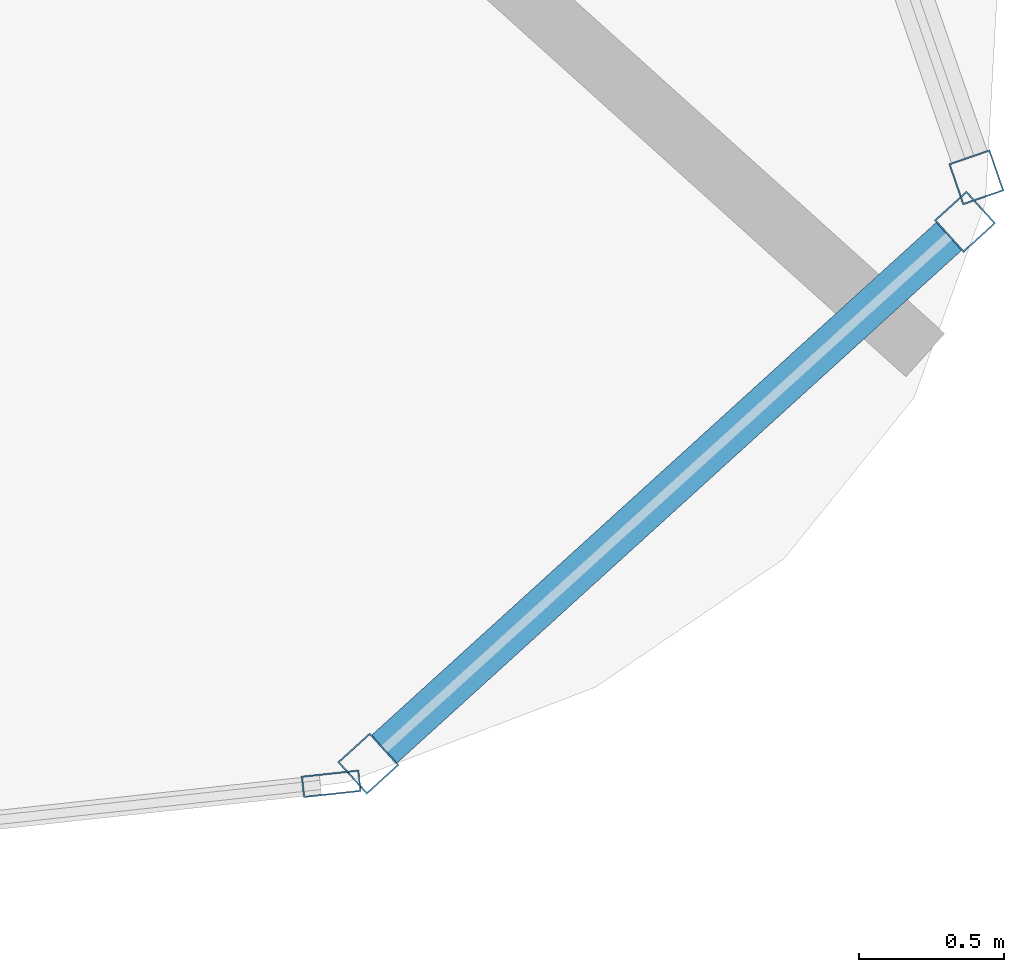
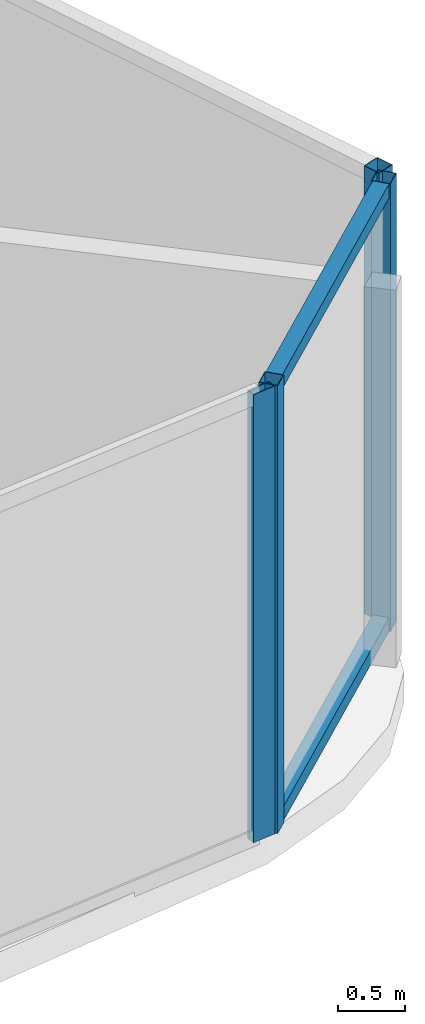
# One storey, part 14 of 33: 6 members, 3 elements without a shape of their own.
"""IFC4 building model written with IfcOpenShell, lengths in metres."""

from ifc_helpers import new_model, si_unit, direction, frame, origin, origin_2d, place, context, subcontext, project, spatial, hollow_rectangle, extrude, material, layer, layer_set, material_profile, profile_set, type_object, element, aggregate, save


model = new_model("IFC4")

# Units and contexts
model_context = context("Model", 3, precision=1e-05, world=origin(), true_north=direction((0.0, 1.0)))
body_context = subcontext(model_context, "Body", "Model", "MODEL_VIEW")
ifc_project = project(units=[si_unit("LENGTHUNIT", "METRE"), si_unit("AREAUNIT", "SQUARE_METRE"), si_unit("VOLUMEUNIT", "CUBIC_METRE"), si_unit("PLANEANGLEUNIT", "RADIAN"), si_unit("MASSUNIT", "GRAM", prefix="KILO")], contexts=[model_context])

# Site, building, storey
site_placement = place(None, origin())
site = spatial("IfcSite", under=ifc_project, at=site_placement, CompositionType="ELEMENT")
building_placement = place(site_placement, origin())
building = spatial("IfcBuilding", under=site, at=building_placement, Name="Orvanel Arch Residences", CompositionType="ELEMENT")
storey_placement = place(building_placement, frame((0.0, 0.0, 59.89990234375)))
storey = spatial("IfcBuildingStorey", under=building, at=storey_placement, Name="L16", CompositionType="ELEMENT", Elevation=59.89990234375)

# Curtain wall, members
ifc_material = material(Name="Bronze-anodised aluminium AA6063-T6", Category="aluminium")
ifc_layer_1 = layer(ifc_material, 0.18994140625)
ifc_layer_set_1 = layer_set([ifc_layer_1], Name="Bronze-anodised aluminium AA6063-T6")
curtain_wall_type_1 = type_object("IfcCurtainWallType", Name="CW5-CRN-SYS", PredefinedType="NOTDEFINED", material=ifc_layer_set_1)
curtain_wall_1_placement = place(storey_placement, origin())
curtain_wall_1 = element("IfcCurtainWall", 1, at=curtain_wall_1_placement, inside=storey, type_object=curtain_wall_type_1, Name="L16 CW5-CRN-SYS Unitised Curtain Wall", PredefinedType="NOTDEFINED")
ifc_material_profile_1 = material_profile(ifc_material, hollow_rectangle(XDim=0.14990234375, YDim=0.14990234375, WallThickness=0.0048828125, at=origin_2d()), Name="ALU150x150x5")
ifc_profile_set_1 = profile_set([ifc_material_profile_1], Name="Bronze-anodised aluminium AA6063-T6")
member_type_1 = type_object("IfcMemberType", Name="MUL-150x150", PredefinedType="MULLION", material=ifc_profile_set_1)
member_1_placement = place(storey_placement, frame((58.987548828125, 3.9794921875, 0.0), z_axis=(0.0, 0.0, 1.0), x_axis=(-0.672281431349, 0.740295668678, 0.0)))
member_1 = element("IfcMember", 2, at=member_1_placement, type_object=member_type_1, Name="CW-S5 mullion 1", PredefinedType="MULLION", context=body_context, shape_type="SweptSolid", body=[
    extrude(hollow_rectangle(XDim=0.14990234375, YDim=0.14990234375, WallThickness=0.0048828125, at=origin_2d()), origin(), (0.0, 0.0, 1.0), 4.110107421875),
])
member_2_placement = place(storey_placement, frame((61.04248046875, 5.845458984375, 0.0), z_axis=(0.0, 0.0, 1.0), x_axis=(-0.672281431349, 0.740295668678, 0.0)))
member_2 = element("IfcMember", 3, at=member_2_placement, type_object=member_type_1, Name="CW-S5 mullion 2", PredefinedType="MULLION", context=body_context, shape_type="SweptSolid", body=[
    extrude(hollow_rectangle(XDim=0.14990234375, YDim=0.14990234375, WallThickness=0.0048828125, at=origin_2d()), origin(), (0.0, 0.0, 1.0), 4.110107421875),
])

# Curtain wall, member
curtain_wall_2_placement = place(storey_placement, origin())
curtain_wall_2 = element("IfcCurtainWall", 4, at=curtain_wall_2_placement, inside=storey, type_object=curtain_wall_type_1, Name="L16 CW5-CRN-SYS Unitised Curtain Wall", PredefinedType="NOTDEFINED")
member_3_placement = place(storey_placement, frame((61.08154296875, 5.998779296875, 0.0), z_axis=(0.0, 0.0, 1.0), x_axis=(-0.945301665121, -0.326197427825, 0.0)))
member_3 = element("IfcMember", 5, at=member_3_placement, type_object=member_type_1, Name="CW-S5 mullion 1", PredefinedType="MULLION", context=body_context, shape_type="SweptSolid", body=[
    extrude(hollow_rectangle(XDim=0.14990234375, YDim=0.14990234375, WallThickness=0.0048828125, at=origin_2d()), origin(), (0.0, 0.0, 1.0), 4.110107421875),
])
aggregate(curtain_wall_2, [member_3])

ifc_layer_2 = layer(ifc_material, 0.195068359375)
ifc_layer_set_2 = layer_set([ifc_layer_2], Name="Bronze-anodised aluminium AA6063-T6")
curtain_wall_type_2 = type_object("IfcCurtainWallType", Name="CW6-COM-SYS", PredefinedType="NOTDEFINED", material=ifc_layer_set_2)
curtain_wall_3_placement = place(storey_placement, origin())
curtain_wall_3 = element("IfcCurtainWall", 6, at=curtain_wall_3_placement, inside=storey, type_object=curtain_wall_type_2, Name="L16 CW6-COM-SYS Unitised Curtain Wall", PredefinedType="NOTDEFINED")
ifc_material_profile_2 = material_profile(ifc_material, hollow_rectangle(XDim=0.074951171875, YDim=0.199951171875, WallThickness=0.0048828125, at=origin_2d()), Name="ALU200x75x5")
ifc_profile_set_2 = profile_set([ifc_material_profile_2], Name="Bronze-anodised aluminium AA6063-T6")
member_type_2 = type_object("IfcMemberType", Name="MUL-200x75", PredefinedType="MULLION", material=ifc_profile_set_2)
member_4_placement = place(storey_placement, frame((58.859619140625, 3.909912109375, 0.0), z_axis=(0.0, 0.0, 1.0), x_axis=(-0.107629714694, 0.994191050309, 0.0)))
member_4 = element("IfcMember", 7, at=member_4_placement, type_object=member_type_2, Name="CW-S6 mullion 4", PredefinedType="MULLION", context=body_context, shape_type="SweptSolid", body=[
    extrude(hollow_rectangle(XDim=0.074951171875, YDim=0.199951171875, WallThickness=0.0048828125, at=origin_2d()), origin(), (0.0, 0.0, 1.0), 4.110107421875),
])
aggregate(curtain_wall_3, [member_4])

# Member
ifc_material_profile_3 = material_profile(ifc_material, hollow_rectangle(XDim=0.1298828125, YDim=0.1298828125, WallThickness=0.00439453125, at=origin_2d()), Name="ALU130x130x4.5")
ifc_profile_set_3 = profile_set([ifc_material_profile_3], Name="Bronze-anodised aluminium AA6063-T6")
member_type_3 = type_object("IfcMemberType", Name="TRN-130x130", PredefinedType="USERDEFINED", material=ifc_profile_set_3)
member_5_placement = place(storey_placement, frame((59.04296875, 4.02978515625, 0.065185546875), z_axis=(0.740314359948, 0.672260848522, 0.0), x_axis=(-0.672260848522, 0.740314359948, 0.0)))
member_5 = element("IfcMember", 8, at=member_5_placement, type_object=member_type_3, Name="CW-S5 transom 1.1", ObjectType="TRANSOM", PredefinedType="USERDEFINED", context=body_context, shape_type="SweptSolid", body=[
    extrude(hollow_rectangle(XDim=0.1298828125, YDim=0.1298828125, WallThickness=0.00439453125, at=origin_2d()), origin(), (0.0, 0.0, 1.0), 2.6259765625),
])

member_6_placement = place(storey_placement, frame((59.04296875, 4.02978515625, 4.045166015625), z_axis=(0.740314359948, 0.672260848522, 0.0), x_axis=(-0.672260848522, 0.740314359948, 0.0)))
member_6 = element("IfcMember", 9, at=member_6_placement, type_object=member_type_3, Name="CW-S5 transom 1.2", ObjectType="TRANSOM", PredefinedType="USERDEFINED", context=body_context, shape_type="SweptSolid", body=[
    extrude(hollow_rectangle(XDim=0.1298828125, YDim=0.1298828125, WallThickness=0.00439453125, at=origin_2d()), origin(), (0.0, 0.0, 1.0), 2.6259765625),
])

aggregate(curtain_wall_1, [member_1, member_2, member_5, member_6])

save(model, "model.ifc")
